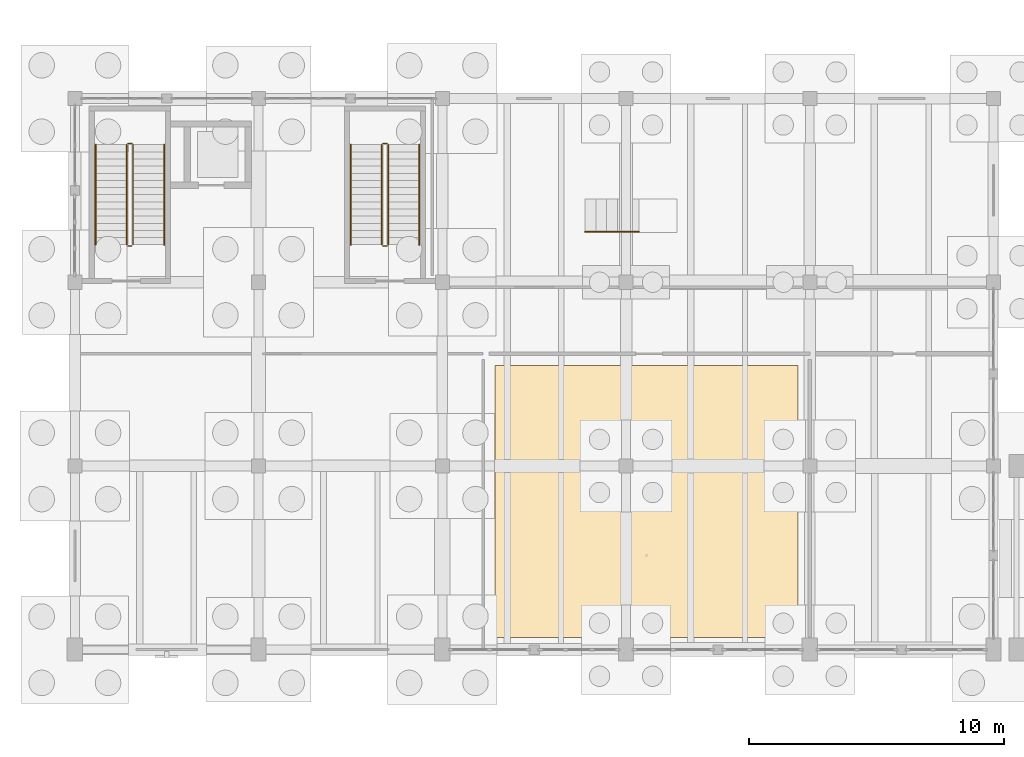
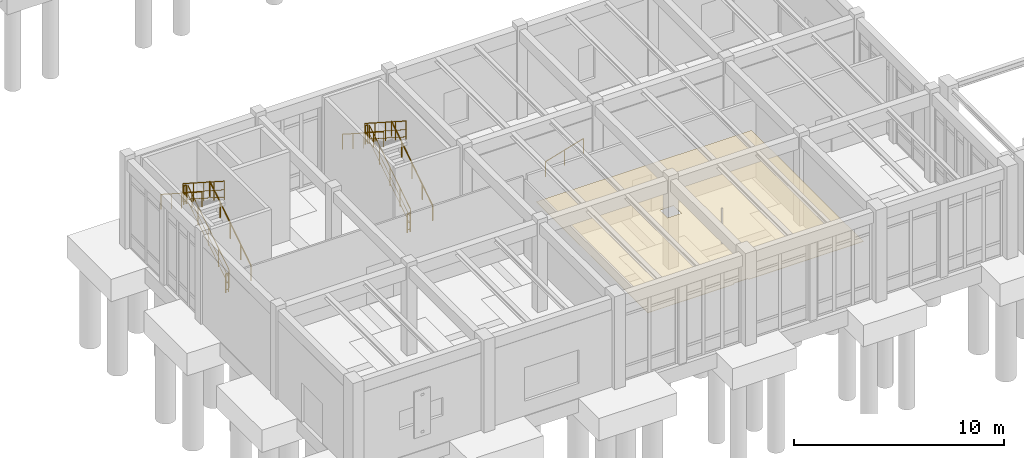
# One storey, part 83 of 93: 13 railings, 1 covering.
"""IFC4 building model written with IfcOpenShell, lengths in metres."""

import ifcopenshell
import ifcopenshell.guid

model = None  # the IFC model being written
_history = None  # IfcOwnerHistory: only IFC2X3 demands one
_inside = {}  # id of a spatial element -> (the spatial element, [elements in it])
_under = {}  # id of a project, library or spatial element -> (it, [spatial elements below it])
_declared = {}  # id of a project -> (the project, [libraries it declares])
_typed = {}  # id of a type object -> (the type object, [elements of that type])
_made_of = {}  # id of a material, layer set ... -> (it, [elements and type objects made of it])


def new_model(schema):
    """Start an empty IFC model of exactly this schema.

    Asked for "IFC4X3", IfcOpenShell would pick the latest addendum, in which some entities
    have other attributes; the version numbers below select the first issue.
    IFC2X3 requires an IfcOwnerHistory on every rooted entity: one is made here for all.
    """
    global model, _history
    if schema == "IFC4X3":
        model = ifcopenshell.file(schema_version=(4, 3, 0, 0))
    else:
        model = ifcopenshell.file(schema=schema)
    _inside.clear()
    _under.clear()
    _declared.clear()
    _typed.clear()
    _made_of.clear()
    _history = None
    if model.schema == "IFC2X3":
        org = make("IfcOrganization", Name="unknown")
        user = make(
            "IfcPersonAndOrganization",
            ThePerson=make("IfcPerson", FamilyName="unknown"),
            TheOrganization=org,
        )
        app = make(
            "IfcApplication",
            ApplicationDeveloper=org,
            Version="unknown",
            ApplicationFullName="unknown",
            ApplicationIdentifier="unknown",
        )
        _history = make(
            "IfcOwnerHistory",
            OwningUser=user,
            OwningApplication=app,
            ChangeAction="ADDED",
            CreationDate=0,
        )
    return model


def make(cls, **values):
    """One entity of the class cls with the attributes given. An attribute that is None is left unset."""
    return model.create_entity(
        cls, **{name: value for name, value in values.items() if value is not None}
    )


def rooted(cls, **values):
    """An entity with a GlobalId (a new one), such as an element, a storey or a relation."""
    return make(cls, GlobalId=ifcopenshell.guid.new(), OwnerHistory=_history, **values)


def si_unit(unit_type, name, prefix=None):
    """IfcSIUnit, for example si_unit("LENGTHUNIT", "METRE", prefix="MILLI")."""
    return make("IfcSIUnit", UnitType=unit_type, Prefix=prefix, Name=name)


def assignment(units):
    """IfcUnitAssignment: the units of a project."""
    return None if units is None else make("IfcUnitAssignment", Units=units)


def point(xyz):
    """IfcCartesianPoint."""
    return None if xyz is None else make("IfcCartesianPoint", Coordinates=xyz)


def direction(xyz):
    """IfcDirection."""
    return None if xyz is None else make("IfcDirection", DirectionRatios=xyz)


def frame(location, z_axis=None, x_axis=None):
    """IfcAxis2Placement3D, a coordinate frame: its origin and axes. An axis left out is left unset."""
    return make(
        "IfcAxis2Placement3D",
        Location=point(location),
        Axis=direction(z_axis),
        RefDirection=direction(x_axis),
    )


def frame_2d(location, x_axis=None):
    """IfcAxis2Placement2D, a coordinate frame in the plane: its origin and x axis."""
    return make(
        "IfcAxis2Placement2D", Location=point(location), RefDirection=direction(x_axis)
    )


def origin():
    """The frame at (0, 0, 0) with its axes left unset."""
    return frame((0.0, 0.0, 0.0))


def origin_2d():
    """The frame at (0, 0) in the plane with its x axis left unset."""
    return frame_2d((0.0, 0.0))


def place(relative_to, where):
    """IfcLocalPlacement: puts the frame where relative to a parent placement (None: the world)."""
    return make(
        "IfcLocalPlacement", PlacementRelTo=relative_to, RelativePlacement=where
    )


def context(
    kind, dimensions, precision=None, world=None, true_north=None, identifier=None
):
    """IfcGeometricRepresentationContext, for example the 3D "Model" context."""
    return make(
        "IfcGeometricRepresentationContext",
        ContextIdentifier=identifier,
        ContextType=kind,
        CoordinateSpaceDimension=dimensions,
        Precision=precision,
        WorldCoordinateSystem=world,
        TrueNorth=true_north,
    )


def subcontext(parent, identifier, kind, view, scale=None):
    """IfcGeometricRepresentationSubContext, for example "Body" below "Model"."""
    return make(
        "IfcGeometricRepresentationSubContext",
        ContextIdentifier=identifier,
        ContextType=kind,
        ParentContext=parent,
        TargetScale=scale,
        TargetView=view,
    )


def project(units=None, contexts=None):
    """IfcProject with its units and contexts."""
    return rooted(
        "IfcProject",
        Name="project",
        RepresentationContexts=contexts,
        UnitsInContext=assignment(units),
    )


def spatial(cls, under=None, at=None, **own):
    """A site, building, storey or space (cls), placed at a placement, below another one or the project."""
    s = rooted(cls, ObjectPlacement=at, **own)
    if under is not None:
        _under.setdefault(under.id(), (under, []))[1].append(s)
    return s


def polyline(points):
    """IfcPolyline through the points."""
    return make("IfcPolyline", Points=[point(p) for p in points])


def profile(cls, at=None, kind="AREA", **sizes):
    """A parametric profile (cls). Its sizes go by their IFC names, for example OverallWidth=200.0."""
    return make(cls, ProfileType=kind, Position=at, **sizes)


def circle(**sizes):
    """IfcCircleProfileDef."""
    return profile("IfcCircleProfileDef", **sizes)


def outline(outer, holes=None, kind="AREA"):
    """IfcArbitraryClosedProfileDef: a profile drawn as a closed curve; with holes, ...WithVoids."""
    if holes is None:
        return make("IfcArbitraryClosedProfileDef", ProfileType=kind, OuterCurve=outer)
    return make(
        "IfcArbitraryProfileDefWithVoids",
        ProfileType=kind,
        OuterCurve=outer,
        InnerCurves=holes,
    )


def extrude(swept, where, along, depth):
    """IfcExtrudedAreaSolid: the profile swept, set in the frame where, extruded along a direction by depth."""
    return make(
        "IfcExtrudedAreaSolid",
        SweptArea=swept,
        Position=where,
        ExtrudedDirection=direction(along),
        Depth=depth,
    )


def shape(context_of_items, identifier, shape_type, items):
    """IfcShapeRepresentation: the items that make up one representation, for example the "Body"."""
    return make(
        "IfcShapeRepresentation",
        ContextOfItems=context_of_items,
        RepresentationIdentifier=identifier,
        RepresentationType=shape_type,
        Items=items,
    )


def material(Name=None, Category=None):
    """IfcMaterial."""
    return make("IfcMaterial", Name=Name, Category=Category)


def layer(
    of_material, thickness, ventilated=None, Name=None, Category=None, Priority=None
):
    """IfcMaterialLayer: one layer of a wall or slab, of a material (None: an air gap)."""
    return make(
        "IfcMaterialLayer",
        Material=of_material,
        LayerThickness=thickness,
        IsVentilated=ventilated,
        Name=Name,
        Category=Category,
        Priority=Priority,
    )


def layer_set(layers, Name=None):
    """IfcMaterialLayerSet."""
    return make("IfcMaterialLayerSet", MaterialLayers=layers, LayerSetName=Name)


def made_of(thing, what):
    """Note that an element or type object is made of a material, layer set ...; save() writes the relation."""
    if what is not None:
        _made_of.setdefault(what.id(), (what, []))[1].append(thing)
    return thing


def type_object(cls, material=None, **own):
    """A type object (cls), such as IfcWallType, which elements share."""
    return made_of(rooted(cls, **own), material)


def element(
    cls,
    number,
    at=None,
    inside=None,
    cuts=None,
    type_object=None,
    material=None,
    context=None,
    identifier="Body",
    shape_type=None,
    held_by="IfcProductDefinitionShape",
    body=None,
    shapes=None,
    **own,
):
    """One element of the class cls, such as IfcWall. Its Tag is "e" and its number.

    at: its placement. inside: the storey or other place that contains it. cuts: it is an
    opening in that element (IfcRelVoidsElement). A single representation is given by context,
    identifier, shape_type and body (its items); several are given by shapes. held_by: the class
    of the entity that holds the representations. save() writes the other relations.
    """
    e = rooted(cls, Tag="e%d" % number, ObjectPlacement=at, **own)
    if body is not None:
        shapes = [shape(context, identifier, shape_type, body)]
    if shapes is not None:
        e.Representation = make(held_by, Representations=shapes)
    if inside is not None:
        _inside.setdefault(inside.id(), (inside, []))[1].append(e)
    if cuts is not None:
        rooted(
            "IfcRelVoidsElement", RelatingBuildingElement=cuts, RelatedOpeningElement=e
        )
    if type_object is not None:
        _typed.setdefault(type_object.id(), (type_object, []))[1].append(e)
    return made_of(e, material)


def aggregate(whole, parts):
    """IfcRelAggregates: a whole, such as a stair, and the parts it consists of."""
    return rooted("IfcRelAggregates", RelatingObject=whole, RelatedObjects=parts)


def save(model, path):
    """Write the relations noted so far, then the file.

    IfcRelAggregates (storeys below a building ...), IfcRelContainedInSpatialStructure (elements
    in a storey), IfcRelDefinesByType, IfcRelAssociatesMaterial and IfcRelDeclares: one each for
    every whole, place, type object, material and project.
    """
    for whole, parts in _under.values():
        aggregate(whole, parts)
    for where, things in _inside.values():
        rooted(
            "IfcRelContainedInSpatialStructure",
            RelatedElements=things,
            RelatingStructure=where,
        )
    for kind, things in _typed.values():
        rooted("IfcRelDefinesByType", RelatedObjects=things, RelatingType=kind)
    for what, things in _made_of.values():
        rooted("IfcRelAssociatesMaterial", RelatedObjects=things, RelatingMaterial=what)
    for by, libraries in _declared.values():
        rooted("IfcRelDeclares", RelatingContext=by, RelatedDefinitions=libraries)
    model.write(path)


model = new_model("IFC4")

# Units and contexts
model_context = context("Model", 3, precision=1e-05, world=origin(), true_north=direction((0.0, 1.0)))
body_context = subcontext(model_context, "Body", "Model", "MODEL_VIEW")
ifc_project = project(units=[si_unit("LENGTHUNIT", "METRE"), si_unit("AREAUNIT", "SQUARE_METRE"), si_unit("VOLUMEUNIT", "CUBIC_METRE"), si_unit("PLANEANGLEUNIT", "RADIAN"), si_unit("MASSUNIT", "GRAM", prefix="KILO")], contexts=[model_context])

# Site, building, storey
site_placement = place(None, origin())
site = spatial("IfcSite", under=ifc_project, at=site_placement, CompositionType="ELEMENT")
building_placement = place(site_placement, origin())
building = spatial("IfcBuilding", under=site, at=building_placement, Name="Koriwan Promenade Central Fire Station", CompositionType="ELEMENT")
storey_placement = place(building_placement, origin())
storey = spatial("IfcBuildingStorey", under=building, at=storey_placement, Name="L00", CompositionType="ELEMENT", Elevation=0.0)

# Covering
ifc_material_1 = material(Name="Mineral-fibre acoustic ceiling tile on suspended grid", Category="ceiling")
ifc_layer_1 = layer(ifc_material_1, 0.02490234375, Name="Mineral-fibre acoustic ceiling tile on suspended grid")
ifc_layer_set_1 = layer_set([ifc_layer_1], Name="Mineral-fibre acoustic ceiling tile on suspended grid")
covering_type = type_object("IfcCoveringType", Name="AcousticCeiling_Tile", PredefinedType="CEILING", material=ifc_layer_set_1)
covering_placement = place(storey_placement, frame((0.0, 0.0, 3.080078125)))
element("IfcCovering", 1, at=covering_placement, inside=storey, type_object=covering_type, Name="Youth Fire Preparedness Classroom suspended acoustic ceiling", PredefinedType="CEILING", context=body_context, shape_type="SweptSolid", body=[
    extrude(outline(polyline([(22.0, 0.469970703125), (22.0, 0.550048828125), (21.199951171875, 0.550048828125), (21.199951171875, 0.469970703125), (16.469970703125, 0.469970703125), (16.469970703125, 11.1298828125), (28.330078125, 11.1298828125), (28.330078125, 0.469970703125), (22.0, 0.469970703125)]), holes=[polyline([(21.22509765625, 6.824951171875), (21.97509765625, 6.824951171875), (21.97509765625, 7.574951171875), (21.22509765625, 7.574951171875), (21.22509765625, 6.824951171875)])]), origin(), (0.0, 0.0, 1.0), 0.02490234375),
])

# Railings
ifc_material_2 = material(Name="Steel ASTM A500 Grade C", Category="steel")
ifc_layer_2 = layer(ifc_material_2, 0.050048828125, Name="Steel ASTM A500 Grade C")
ifc_layer_set_2 = layer_set([ifc_layer_2], Name="Steel ASTM A500 Grade C")
railing_type_1 = type_object("IfcRailingType", Name="StairGuard_1100", PredefinedType="BALUSTRADE", material=ifc_layer_set_2)
railing_1_placement = place(storey_placement, frame((2.280029296875, 15.8701171875, 0.179931640625)))
element("IfcRailing", 2, at=railing_1_placement, inside=storey, type_object=railing_type_1, Name="L00 ST14 stair guard 1", PredefinedType="BALUSTRADE", context=body_context, shape_type="SweptSolid", body=[
    extrude(circle(Radius=0.02392578125, at=origin_2d()), frame((0.0, 0.0, 1.076171875), z_axis=(0.0, 0.841171666519, 0.540768182723), x_axis=(-1.0, 0.0, 0.0)), (0.0, 0.0, 1.0), 4.66015625),
    extrude(circle(Radius=0.012939453125, at=origin_2d()), frame((0.0, 0.0, 0.572021484375), z_axis=(0.0, 0.841171666519, 0.540768182723), x_axis=(-1.0, 0.0, 0.0)), (0.0, 0.0, 1.0), 4.66015625),
    extrude(circle(Radius=0.012939453125, at=origin_2d()), frame((0.0, 0.0, 0.154052734375), z_axis=(0.0, 0.841171666519, 0.540768182723), x_axis=(-1.0, 0.0, 0.0)), (0.0, 0.0, 1.0), 4.66015625),
    extrude(circle(Radius=0.02099609375, at=origin_2d()), origin(), (0.0, 0.0, 1.0), 1.052001953125),
    extrude(circle(Radius=0.02099609375, at=origin_2d()), frame((0.0, 0.97998046875, 0.6298828125)), (0.0, 0.0, 1.0), 1.052001953125),
    extrude(circle(Radius=0.02099609375, at=origin_2d()), frame((0.0, 1.9599609375, 1.260009765625)), (0.0, 0.0, 1.0), 1.052001953125),
    extrude(circle(Radius=0.02099609375, at=origin_2d()), frame((0.0, 2.93994140625, 1.89013671875)), (0.0, 0.0, 1.0), 1.052001953125),
    extrude(circle(Radius=0.02099609375, at=origin_2d()), frame((0.0, 3.919921875, 2.52001953125)), (0.0, 0.0, 1.0), 1.052001953125),
])
railing_2_placement = place(storey_placement, frame((2.22998046875, 19.840087890625, 2.699951171875)))
element("IfcRailing", 3, at=railing_2_placement, inside=storey, type_object=railing_type_1, Name="L00 ST14 stair guard 2", PredefinedType="BALUSTRADE", context=body_context, shape_type="SweptSolid", body=[
    extrude(circle(Radius=0.02392578125, at=origin_2d()), frame((0.0, 0.0, 1.076171875), z_axis=(-1.0, 0.0, 0.0), x_axis=(0.0, -1.0, 0.0)), (0.0, 0.0, 1.0), 0.14990234375),
    extrude(circle(Radius=0.012939453125, at=origin_2d()), frame((0.0, 0.0, 0.572021484375), z_axis=(-1.0, 0.0, 0.0), x_axis=(0.0, -1.0, 0.0)), (0.0, 0.0, 1.0), 0.14990234375),
    extrude(circle(Radius=0.012939453125, at=origin_2d()), frame((0.0, 0.0, 0.154052734375), z_axis=(-1.0, 0.0, 0.0), x_axis=(0.0, -1.0, 0.0)), (0.0, 0.0, 1.0), 0.14990234375),
    extrude(circle(Radius=0.02099609375, at=origin_2d()), origin(), (0.0, 0.0, 1.0), 1.052001953125),
    extrude(circle(Radius=0.02099609375, at=origin_2d()), frame((-0.14990234375, 0.0, 0.0)), (0.0, 0.0, 1.0), 1.052001953125),
])
railing_3_placement = place(storey_placement, frame((2.030029296875, 19.7900390625, 2.8798828125)))
element("IfcRailing", 4, at=railing_3_placement, inside=storey, type_object=railing_type_1, Name="L00 ST14 stair guard 3", PredefinedType="BALUSTRADE", context=body_context, shape_type="SweptSolid", body=[
    extrude(circle(Radius=0.02392578125, at=origin_2d()), frame((0.0, 0.0, 1.076171875), z_axis=(0.0, -0.841171666519, 0.540768182723), x_axis=(1.0, 0.0, 0.0)), (0.0, 0.0, 1.0), 4.66015625),
    extrude(circle(Radius=0.012939453125, at=origin_2d()), frame((0.0, 0.0, 0.572021484375), z_axis=(0.0, -0.841171666519, 0.540768182723), x_axis=(1.0, 0.0, 0.0)), (0.0, 0.0, 1.0), 4.66015625),
    extrude(circle(Radius=0.012939453125, at=origin_2d()), frame((0.0, 0.0, 0.154052734375), z_axis=(0.0, -0.841171666519, 0.540768182723), x_axis=(1.0, 0.0, 0.0)), (0.0, 0.0, 1.0), 4.66015625),
    extrude(circle(Radius=0.02099609375, at=origin_2d()), origin(), (0.0, 0.0, 1.0), 1.052001953125),
    extrude(circle(Radius=0.02099609375, at=origin_2d()), frame((0.0, -0.97998046875, 0.6298828125)), (0.0, 0.0, 1.0), 1.052001953125),
    extrude(circle(Radius=0.02099609375, at=origin_2d()), frame((0.0, -1.9599609375, 1.260009765625)), (0.0, 0.0, 1.0), 1.052001953125),
    extrude(circle(Radius=0.02099609375, at=origin_2d()), frame((0.0, -2.93994140625, 1.89013671875)), (0.0, 0.0, 1.0), 1.052001953125),
    extrude(circle(Radius=0.02099609375, at=origin_2d()), frame((0.0, -3.919921875, 2.52001953125)), (0.0, 0.0, 1.0), 1.052001953125),
])
railing_4_placement = place(storey_placement, frame((2.22998046875, 15.820068359375, 0.0)))
element("IfcRailing", 5, at=railing_4_placement, inside=storey, type_object=railing_type_1, Name="L00 ST14 stair guard 4", PredefinedType="BALUSTRADE", context=body_context, shape_type="SweptSolid", body=[
    extrude(circle(Radius=0.02392578125, at=origin_2d()), frame((0.0, 0.0, 1.076171875), z_axis=(-1.0, 0.0, 0.0), x_axis=(0.0, -1.0, 0.0)), (0.0, 0.0, 1.0), 0.14990234375),
    extrude(circle(Radius=0.012939453125, at=origin_2d()), frame((0.0, 0.0, 0.572021484375), z_axis=(-1.0, 0.0, 0.0), x_axis=(0.0, -1.0, 0.0)), (0.0, 0.0, 1.0), 0.14990234375),
    extrude(circle(Radius=0.012939453125, at=origin_2d()), frame((0.0, 0.0, 0.154052734375), z_axis=(-1.0, 0.0, 0.0), x_axis=(0.0, -1.0, 0.0)), (0.0, 0.0, 1.0), 0.14990234375),
    extrude(circle(Radius=0.02099609375, at=origin_2d()), origin(), (0.0, 0.0, 1.0), 1.052001953125),
    extrude(circle(Radius=0.02099609375, at=origin_2d()), frame((-0.14990234375, 0.0, 0.0)), (0.0, 0.0, 1.0), 1.052001953125),
])
railing_5_placement = place(storey_placement, frame((12.280029296875, 15.8701171875, 0.179931640625)))
element("IfcRailing", 6, at=railing_5_placement, inside=storey, type_object=railing_type_1, Name="L00 ST16 stair guard 1", PredefinedType="BALUSTRADE", context=body_context, shape_type="SweptSolid", body=[
    extrude(circle(Radius=0.02392578125, at=origin_2d()), frame((0.0, 0.0, 1.076171875), z_axis=(0.0, 0.841171666519, 0.540768182723), x_axis=(-1.0, 0.0, 0.0)), (0.0, 0.0, 1.0), 4.66015625),
    extrude(circle(Radius=0.012939453125, at=origin_2d()), frame((0.0, 0.0, 0.572021484375), z_axis=(0.0, 0.841171666519, 0.540768182723), x_axis=(-1.0, 0.0, 0.0)), (0.0, 0.0, 1.0), 4.66015625),
    extrude(circle(Radius=0.012939453125, at=origin_2d()), frame((0.0, 0.0, 0.154052734375), z_axis=(0.0, 0.841171666519, 0.540768182723), x_axis=(-1.0, 0.0, 0.0)), (0.0, 0.0, 1.0), 4.66015625),
    extrude(circle(Radius=0.02099609375, at=origin_2d()), origin(), (0.0, 0.0, 1.0), 1.052001953125),
    extrude(circle(Radius=0.02099609375, at=origin_2d()), frame((0.0, 0.97998046875, 0.6298828125)), (0.0, 0.0, 1.0), 1.052001953125),
    extrude(circle(Radius=0.02099609375, at=origin_2d()), frame((0.0, 1.9599609375, 1.260009765625)), (0.0, 0.0, 1.0), 1.052001953125),
    extrude(circle(Radius=0.02099609375, at=origin_2d()), frame((0.0, 2.93994140625, 1.89013671875)), (0.0, 0.0, 1.0), 1.052001953125),
    extrude(circle(Radius=0.02099609375, at=origin_2d()), frame((0.0, 3.919921875, 2.52001953125)), (0.0, 0.0, 1.0), 1.052001953125),
])
railing_6_placement = place(storey_placement, frame((12.22998046875, 19.840087890625, 2.699951171875)))
element("IfcRailing", 7, at=railing_6_placement, inside=storey, type_object=railing_type_1, Name="L00 ST16 stair guard 2", PredefinedType="BALUSTRADE", context=body_context, shape_type="SweptSolid", body=[
    extrude(circle(Radius=0.02392578125, at=origin_2d()), frame((0.0, 0.0, 1.076171875), z_axis=(-1.0, 0.0, 0.0), x_axis=(0.0, -1.0, 0.0)), (0.0, 0.0, 1.0), 0.14990234375),
    extrude(circle(Radius=0.012939453125, at=origin_2d()), frame((0.0, 0.0, 0.572021484375), z_axis=(-1.0, 0.0, 0.0), x_axis=(0.0, -1.0, 0.0)), (0.0, 0.0, 1.0), 0.14990234375),
    extrude(circle(Radius=0.012939453125, at=origin_2d()), frame((0.0, 0.0, 0.154052734375), z_axis=(-1.0, 0.0, 0.0), x_axis=(0.0, -1.0, 0.0)), (0.0, 0.0, 1.0), 0.14990234375),
    extrude(circle(Radius=0.02099609375, at=origin_2d()), origin(), (0.0, 0.0, 1.0), 1.052001953125),
    extrude(circle(Radius=0.02099609375, at=origin_2d()), frame((-0.14990234375, 0.0, 0.0)), (0.0, 0.0, 1.0), 1.052001953125),
])
railing_7_placement = place(storey_placement, frame((12.030029296875, 19.7900390625, 2.8798828125)))
element("IfcRailing", 8, at=railing_7_placement, inside=storey, type_object=railing_type_1, Name="L00 ST16 stair guard 3", PredefinedType="BALUSTRADE", context=body_context, shape_type="SweptSolid", body=[
    extrude(circle(Radius=0.02392578125, at=origin_2d()), frame((0.0, 0.0, 1.076171875), z_axis=(0.0, -0.841171666519, 0.540768182723), x_axis=(1.0, 0.0, 0.0)), (0.0, 0.0, 1.0), 4.66015625),
    extrude(circle(Radius=0.012939453125, at=origin_2d()), frame((0.0, 0.0, 0.572021484375), z_axis=(0.0, -0.841171666519, 0.540768182723), x_axis=(1.0, 0.0, 0.0)), (0.0, 0.0, 1.0), 4.66015625),
    extrude(circle(Radius=0.012939453125, at=origin_2d()), frame((0.0, 0.0, 0.154052734375), z_axis=(0.0, -0.841171666519, 0.540768182723), x_axis=(1.0, 0.0, 0.0)), (0.0, 0.0, 1.0), 4.66015625),
    extrude(circle(Radius=0.02099609375, at=origin_2d()), origin(), (0.0, 0.0, 1.0), 1.052001953125),
    extrude(circle(Radius=0.02099609375, at=origin_2d()), frame((0.0, -0.97998046875, 0.6298828125)), (0.0, 0.0, 1.0), 1.052001953125),
    extrude(circle(Radius=0.02099609375, at=origin_2d()), frame((0.0, -1.9599609375, 1.260009765625)), (0.0, 0.0, 1.0), 1.052001953125),
    extrude(circle(Radius=0.02099609375, at=origin_2d()), frame((0.0, -2.93994140625, 1.89013671875)), (0.0, 0.0, 1.0), 1.052001953125),
    extrude(circle(Radius=0.02099609375, at=origin_2d()), frame((0.0, -3.919921875, 2.52001953125)), (0.0, 0.0, 1.0), 1.052001953125),
])
railing_8_placement = place(storey_placement, frame((12.22998046875, 15.820068359375, 0.0)))
element("IfcRailing", 9, at=railing_8_placement, inside=storey, type_object=railing_type_1, Name="L00 ST16 stair guard 4", PredefinedType="BALUSTRADE", context=body_context, shape_type="SweptSolid", body=[
    extrude(circle(Radius=0.02392578125, at=origin_2d()), frame((0.0, 0.0, 1.076171875), z_axis=(-1.0, 0.0, 0.0), x_axis=(0.0, -1.0, 0.0)), (0.0, 0.0, 1.0), 0.14990234375),
    extrude(circle(Radius=0.012939453125, at=origin_2d()), frame((0.0, 0.0, 0.572021484375), z_axis=(-1.0, 0.0, 0.0), x_axis=(0.0, -1.0, 0.0)), (0.0, 0.0, 1.0), 0.14990234375),
    extrude(circle(Radius=0.012939453125, at=origin_2d()), frame((0.0, 0.0, 0.154052734375), z_axis=(-1.0, 0.0, 0.0), x_axis=(0.0, -1.0, 0.0)), (0.0, 0.0, 1.0), 0.14990234375),
    extrude(circle(Radius=0.02099609375, at=origin_2d()), origin(), (0.0, 0.0, 1.0), 1.052001953125),
    extrude(circle(Radius=0.02099609375, at=origin_2d()), frame((-0.14990234375, 0.0, 0.0)), (0.0, 0.0, 1.0), 1.052001953125),
])
ifc_material_3 = material(Name="Stainless steel 316 tubular handrail", Category="steel")
ifc_layer_3 = layer(ifc_material_3, 0.048095703125, Name="Stainless steel 316 tubular handrail")
ifc_layer_set_3 = layer_set([ifc_layer_3], Name="Stainless steel 316 tubular handrail")
railing_type_2 = type_object("IfcRailingType", Name="StairHandrail_900", PredefinedType="HANDRAIL", material=ifc_layer_set_3)
railing_9_placement = place(storey_placement, frame((3.5, 15.8701171875, 0.179931640625)))
element("IfcRailing", 10, at=railing_9_placement, inside=storey, type_object=railing_type_2, Name="L00 ST14 stair handrail 1", PredefinedType="HANDRAIL", context=body_context, shape_type="SweptSolid", body=[
    extrude(circle(Radius=0.02392578125, at=origin_2d()), frame((0.0, 0.0, 0.8759765625), z_axis=(0.0, 0.841171666519, 0.540768182723), x_axis=(-1.0, 0.0, 0.0)), (0.0, 0.0, 1.0), 4.66015625),
    extrude(circle(Radius=0.02099609375, at=origin_2d()), origin(), (0.0, 0.0, 1.0), 0.851806640625),
    extrude(circle(Radius=0.02099609375, at=origin_2d()), frame((0.0, 0.97998046875, 0.6298828125)), (0.0, 0.0, 1.0), 0.851806640625),
    extrude(circle(Radius=0.02099609375, at=origin_2d()), frame((0.0, 1.9599609375, 1.260009765625)), (0.0, 0.0, 1.0), 0.851806640625),
    extrude(circle(Radius=0.02099609375, at=origin_2d()), frame((0.0, 2.93994140625, 1.89013671875)), (0.0, 0.0, 1.0), 0.851806640625),
    extrude(circle(Radius=0.02099609375, at=origin_2d()), frame((0.0, 3.919921875, 2.52001953125)), (0.0, 0.0, 1.0), 0.851806640625),
])
railing_10_placement = place(storey_placement, frame((0.81005859375, 19.7900390625, 2.8798828125)))
element("IfcRailing", 11, at=railing_10_placement, inside=storey, type_object=railing_type_2, Name="L00 ST14 stair handrail 2", PredefinedType="HANDRAIL", context=body_context, shape_type="SweptSolid", body=[
    extrude(circle(Radius=0.02392578125, at=origin_2d()), frame((0.0, 0.0, 0.8759765625), z_axis=(0.0, -0.841171666519, 0.540768182723), x_axis=(1.0, 0.0, 0.0)), (0.0, 0.0, 1.0), 4.66015625),
    extrude(circle(Radius=0.02099609375, at=origin_2d()), origin(), (0.0, 0.0, 1.0), 0.851806640625),
    extrude(circle(Radius=0.02099609375, at=origin_2d()), frame((0.0, -0.97998046875, 0.6298828125)), (0.0, 0.0, 1.0), 0.851806640625),
    extrude(circle(Radius=0.02099609375, at=origin_2d()), frame((0.0, -1.9599609375, 1.260009765625)), (0.0, 0.0, 1.0), 0.851806640625),
    extrude(circle(Radius=0.02099609375, at=origin_2d()), frame((0.0, -2.93994140625, 1.89013671875)), (0.0, 0.0, 1.0), 0.851806640625),
    extrude(circle(Radius=0.02099609375, at=origin_2d()), frame((0.0, -3.919921875, 2.52001953125)), (0.0, 0.0, 1.0), 0.851806640625),
])
railing_11_placement = place(storey_placement, frame((13.5, 15.8701171875, 0.179931640625)))
element("IfcRailing", 12, at=railing_11_placement, inside=storey, type_object=railing_type_2, Name="L00 ST16 stair handrail 1", PredefinedType="HANDRAIL", context=body_context, shape_type="SweptSolid", body=[
    extrude(circle(Radius=0.02392578125, at=origin_2d()), frame((0.0, 0.0, 0.8759765625), z_axis=(0.0, 0.841171666519, 0.540768182723), x_axis=(-1.0, 0.0, 0.0)), (0.0, 0.0, 1.0), 4.66015625),
    extrude(circle(Radius=0.02099609375, at=origin_2d()), origin(), (0.0, 0.0, 1.0), 0.851806640625),
    extrude(circle(Radius=0.02099609375, at=origin_2d()), frame((0.0, 0.97998046875, 0.6298828125)), (0.0, 0.0, 1.0), 0.851806640625),
    extrude(circle(Radius=0.02099609375, at=origin_2d()), frame((0.0, 1.9599609375, 1.260009765625)), (0.0, 0.0, 1.0), 0.851806640625),
    extrude(circle(Radius=0.02099609375, at=origin_2d()), frame((0.0, 2.93994140625, 1.89013671875)), (0.0, 0.0, 1.0), 0.851806640625),
    extrude(circle(Radius=0.02099609375, at=origin_2d()), frame((0.0, 3.919921875, 2.52001953125)), (0.0, 0.0, 1.0), 0.851806640625),
])
railing_12_placement = place(storey_placement, frame((10.81005859375, 19.7900390625, 2.8798828125)))
element("IfcRailing", 13, at=railing_12_placement, inside=storey, type_object=railing_type_2, Name="L00 ST16 stair handrail 2", PredefinedType="HANDRAIL", context=body_context, shape_type="SweptSolid", body=[
    extrude(circle(Radius=0.02392578125, at=origin_2d()), frame((0.0, 0.0, 0.8759765625), z_axis=(0.0, -0.841171666519, 0.540768182723), x_axis=(1.0, 0.0, 0.0)), (0.0, 0.0, 1.0), 4.66015625),
    extrude(circle(Radius=0.02099609375, at=origin_2d()), origin(), (0.0, 0.0, 1.0), 0.851806640625),
    extrude(circle(Radius=0.02099609375, at=origin_2d()), frame((0.0, -0.97998046875, 0.6298828125)), (0.0, 0.0, 1.0), 0.851806640625),
    extrude(circle(Radius=0.02099609375, at=origin_2d()), frame((0.0, -1.9599609375, 1.260009765625)), (0.0, 0.0, 1.0), 0.851806640625),
    extrude(circle(Radius=0.02099609375, at=origin_2d()), frame((0.0, -2.93994140625, 1.89013671875)), (0.0, 0.0, 1.0), 0.851806640625),
    extrude(circle(Radius=0.02099609375, at=origin_2d()), frame((0.0, -3.919921875, 2.52001953125)), (0.0, 0.0, 1.0), 0.851806640625),
])
railing_13_placement = place(storey_placement, frame((20.0, 16.3798828125, 0.125)))
element("IfcRailing", 14, at=railing_13_placement, inside=storey, type_object=railing_type_2, Name="DAIS_V3_SAF dais handrail", PredefinedType="HANDRAIL", context=body_context, shape_type="SweptSolid", body=[
    extrude(circle(Radius=0.02392578125, at=origin_2d()), frame((0.0, 0.0, 0.8759765625), z_axis=(0.958455704924, 0.0, 0.28524140951), x_axis=(0.0, 1.0, 0.0)), (0.0, 0.0, 1.0), 2.191162109375),
    extrude(circle(Radius=0.02099609375, at=origin_2d()), origin(), (0.0, 0.0, 1.0), 0.851806640625),
    extrude(circle(Radius=0.02099609375, at=origin_2d()), frame((1.050048828125, 0.0, 0.3125)), (0.0, 0.0, 1.0), 0.851806640625),
    extrude(circle(Radius=0.02099609375, at=origin_2d()), frame((2.10009765625, 0.0, 0.625)), (0.0, 0.0, 1.0), 0.851806640625),
])

save(model, "model.ifc")
